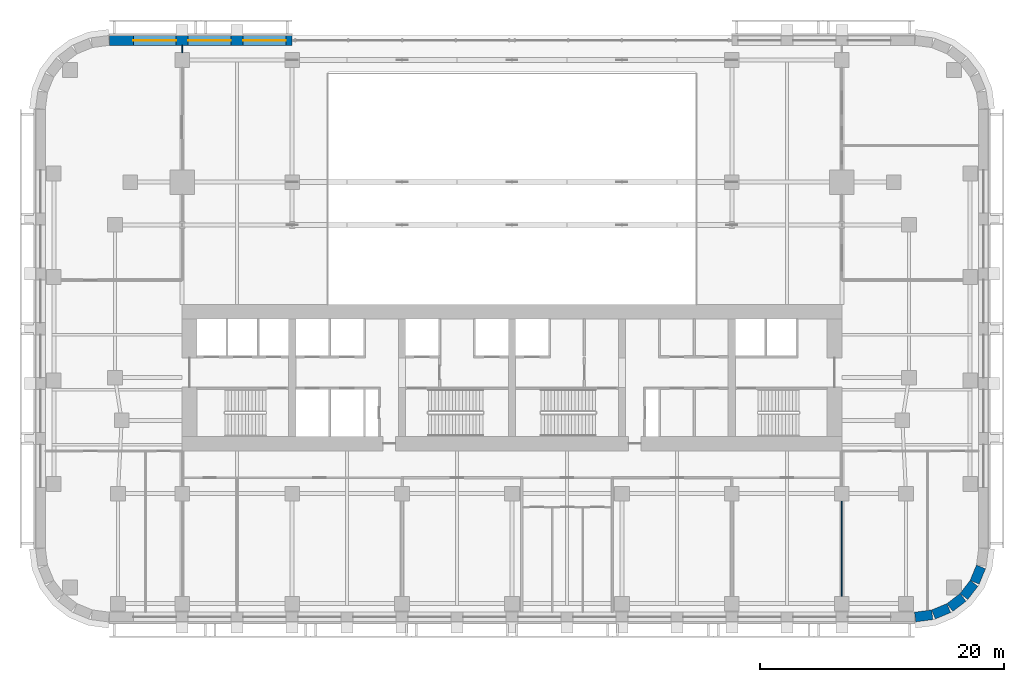
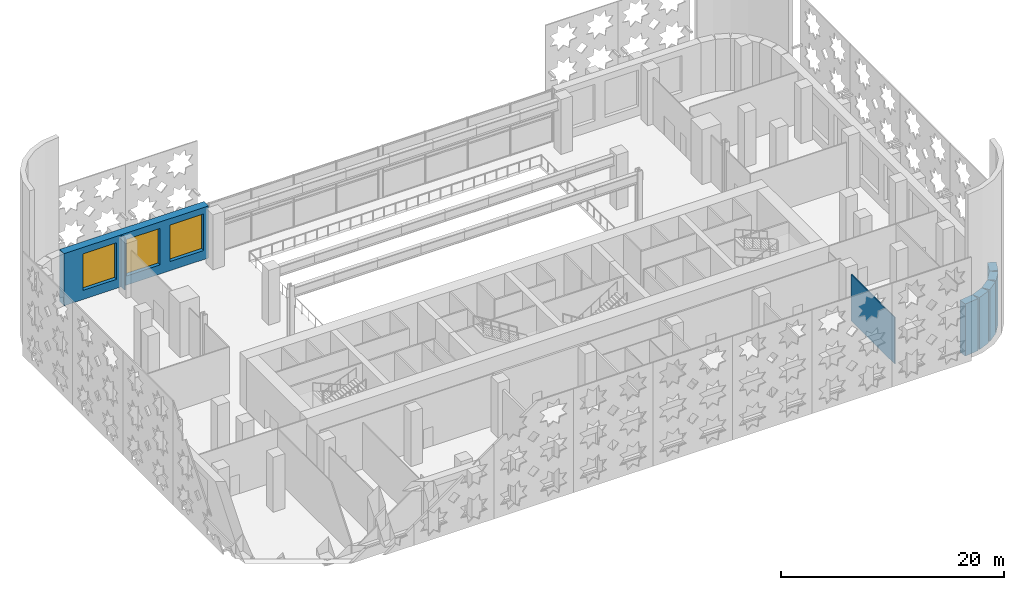
# One storey, part 7 of 17: 8 walls, 3 windows, 3 openings.
"""IFC4 building model written with IfcOpenShell, lengths in metres."""

from ifc_helpers import new_model, si_unit, direction, frame, frame_2d, origin, place, context, subcontext, project, spatial, rectangle, extrude, material, layer, layer_set, type_object, element, fill, save


model = new_model("IFC4")

# Units and contexts
model_context = context("Model", 3, precision=1e-05, world=origin(), true_north=direction((0.0, 1.0)))
body_context = subcontext(model_context, "Body", "Model", "MODEL_VIEW")
ifc_project = project(units=[si_unit("LENGTHUNIT", "METRE"), si_unit("AREAUNIT", "SQUARE_METRE"), si_unit("VOLUMEUNIT", "CUBIC_METRE"), si_unit("PLANEANGLEUNIT", "RADIAN"), si_unit("MASSUNIT", "GRAM", prefix="KILO")], contexts=[model_context])

# Site, building, storey
site_placement = place(None, origin())
site = spatial("IfcSite", under=ifc_project, at=site_placement, CompositionType="ELEMENT")
building_placement = place(site_placement, origin())
building = spatial("IfcBuilding", under=site, at=building_placement, Name="Zellij Exchange Tower", CompositionType="ELEMENT")
storey_placement = place(building_placement, frame((0.0, 0.0, 21.0)))
storey = spatial("IfcBuildingStorey", under=building, at=storey_placement, Name="L03", CompositionType="ELEMENT", Elevation=21.0)

# Walls
ifc_material_1 = material(Name="Precast concrete C40/50", Category="concrete")
ifc_layer_1 = layer(ifc_material_1, 0.800048828125)
ifc_layer_set_1 = layer_set([ifc_layer_1], Name="Precast concrete C40/50")
wall_type_1 = type_object("IfcWallType", Name="ENV-EW1 Precast stone-piered wall 800", PredefinedType="SOLIDWALL", material=ifc_layer_set_1)
wall_1_placement = place(storey_placement, frame((32.999755859375, -27.5966796875, 0.0), z_axis=(0.0, 0.0, 1.0), x_axis=(0.99144603414, 0.130517283865, 0.0)))
element("IfcWall", 1, at=wall_1_placement, inside=storey, type_object=wall_type_1, Name="fac.L03.01", PredefinedType="SOLIDWALL", context=body_context, shape_type="SweptSolid", body=[
    extrude(rectangle(XDim=1.408447265625, YDim=0.800048828125, at=frame_2d((0.7041015625, 0.0))), origin(), (0.0, 0.0, 1.0), 5.699951171875),
])
wall_2_placement = place(storey_placement, frame((34.497314453125, -27.3857421875, 0.0), z_axis=(0.0, 0.0, 1.0), x_axis=(0.923847774587, 0.38276009378, 0.0)))
element("IfcWall", 2, at=wall_2_placement, inside=storey, type_object=wall_type_1, Name="fac.L03.02", PredefinedType="SOLIDWALL", context=body_context, shape_type="SweptSolid", body=[
    extrude(rectangle(XDim=1.35546875, YDim=0.800048828125, at=frame_2d((0.677734375, 0.0))), origin(), (0.0, 0.0, 1.0), 5.699951171875),
])
for number, where, z_axis, x_axis, name in (
    (3, (35.840087890625, -26.814697265625, 0.0), (0.0, 0.0, 1.0), (0.793272915452, 0.608866226366, 0.0), "fac.L03.03"),
    (4, (36.9892578125, -25.91552734375, 0.0), (0.0, 0.0, 1.0), (0.608866226366, 0.793272915452, 0.0), "fac.L03.04"),
):
    element("IfcWall", number, at=place(storey_placement, frame(where, z_axis=z_axis, x_axis=x_axis)), inside=storey, type_object=wall_type_1, Name=name, PredefinedType="SOLIDWALL", context=body_context, shape_type="SweptSolid", body=[
        extrude(rectangle(XDim=1.355712890625, YDim=0.800048828125, at=frame_2d((0.677734375, 0.0))), origin(), (0.0, 0.0, 1.0), 5.699951171875),
    ])
wall_3_placement = place(storey_placement, frame((37.866943359375, -24.74951171875, 0.0), z_axis=(0.0, 0.0, 1.0), x_axis=(0.38276009378, 0.923847774587, 0.0)))
element("IfcWall", 5, at=wall_3_placement, inside=storey, type_object=wall_type_1, Name="fac.L03.05", PredefinedType="SOLIDWALL", context=body_context, shape_type="SweptSolid", body=[
    extrude(rectangle(XDim=1.35546875, YDim=0.800048828125, at=frame_2d((0.677734375, 0.0))), origin(), (0.0, 0.0, 1.0), 5.699951171875),
])

# Wall, openings, windows
wall_4_placement = place(storey_placement, frame((-18.0, 19.60009765625, 0.0), z_axis=(0.0, 0.0, 1.0), x_axis=(-1.0, 0.0, 0.0)))
wall_4 = element("IfcWall", 6, at=wall_4_placement, inside=storey, type_object=wall_type_1, Name="fac.L03.14d", PredefinedType="SOLIDWALL", context=body_context, shape_type="SweptSolid", body=[
    extrude(rectangle(XDim=14.947509765625, YDim=0.800048828125, at=frame_2d((7.4736328125, 0.0))), origin(), (0.0, 0.0, 1.0), 5.699951171875),
])
opening_1_placement = place(wall_4_placement, frame((0.5, 0.0, 1.0)))
opening_1 = element("IfcOpeningElement", 7, at=opening_1_placement, cuts=wall_4, Name="Opening FP.21", PredefinedType="OPENING", context=body_context, shape_type="SweptSolid", body=[
    extrude(rectangle(XDim=3.5, YDim=4.0, at=frame_2d((1.75, 2.0))), frame((0.0, 0.412109375, 0.0), z_axis=(0.0, -1.0, 0.0), x_axis=(1.0, 0.0, 0.0)), (0.0, 0.0, 1.0), 0.823974609375),
])
opening_2_placement = place(wall_4_placement, frame((5.0, 0.0, 1.0)))
opening_2 = element("IfcOpeningElement", 8, at=opening_2_placement, cuts=wall_4, Name="Opening FP.23", PredefinedType="OPENING", context=body_context, shape_type="SweptSolid", body=[
    extrude(rectangle(XDim=3.5, YDim=4.0, at=frame_2d((1.75, 2.0))), frame((0.0, 0.412109375, 0.0), z_axis=(0.0, -1.0, 0.0), x_axis=(1.0, 0.0, 0.0)), (0.0, 0.0, 1.0), 0.823974609375),
])
opening_3_placement = place(wall_4_placement, frame((9.5, 0.0, 1.0)))
opening_3 = element("IfcOpeningElement", 9, at=opening_3_placement, cuts=wall_4, Name="Opening FP.25", PredefinedType="OPENING", context=body_context, shape_type="SweptSolid", body=[
    extrude(rectangle(XDim=3.5, YDim=4.0, at=frame_2d((1.75, 2.0))), frame((0.0, 0.412109375, 0.0), z_axis=(0.0, -1.0, 0.0), x_axis=(1.0, 0.0, 0.0)), (0.0, 0.0, 1.0), 0.823974609375),
])
ifc_material_2 = material(Name="Aluminium frame with insulating glass", Category="aluminium")
window_type = type_object("IfcWindowType", Name="ENV-W2 Window 3500x4000", PartitioningType="SINGLE_PANEL", PredefinedType="WINDOW", material=ifc_material_2)
window_1_placement = place(opening_1_placement, origin())
window_1 = element("IfcWindow", 10, at=window_1_placement, inside=storey, type_object=window_type, Name="Window FP.21", OverallHeight=4.0, OverallWidth=3.5, PartitioningType="SINGLE_PANEL", PredefinedType="WINDOW", context=body_context, shape_type="SweptSolid", body=[
    extrude(rectangle(XDim=3.5, YDim=4.0, at=frame_2d((1.75, 2.0))), frame((0.0, 0.030029296875, 0.0), z_axis=(0.0, -1.0, 0.0), x_axis=(1.0, 0.0, 0.0)), (0.0, 0.0, 1.0), 0.06005859375),
])
fill(opening_1, window_1)
window_2_placement = place(opening_2_placement, origin())
window_2 = element("IfcWindow", 11, at=window_2_placement, inside=storey, type_object=window_type, Name="Window FP.23", OverallHeight=4.0, OverallWidth=3.5, PartitioningType="SINGLE_PANEL", PredefinedType="WINDOW", context=body_context, shape_type="SweptSolid", body=[
    extrude(rectangle(XDim=3.5, YDim=4.0, at=frame_2d((1.75, 2.0))), frame((0.0, 0.030029296875, 0.0), z_axis=(0.0, -1.0, 0.0), x_axis=(1.0, 0.0, 0.0)), (0.0, 0.0, 1.0), 0.06005859375),
])
fill(opening_2, window_2)
window_3_placement = place(opening_3_placement, origin())
window_3 = element("IfcWindow", 12, at=window_3_placement, inside=storey, type_object=window_type, Name="Window FP.25", OverallHeight=4.0, OverallWidth=3.5, PartitioningType="SINGLE_PANEL", PredefinedType="WINDOW", context=body_context, shape_type="SweptSolid", body=[
    extrude(rectangle(XDim=3.5, YDim=4.0, at=frame_2d((1.75, 2.0))), frame((0.0, 0.030029296875, 0.0), z_axis=(0.0, -1.0, 0.0), x_axis=(1.0, 0.0, 0.0)), (0.0, 0.0, 1.0), 0.06005859375),
])
fill(opening_3, window_3)

# Walls
ifc_material_3 = material(Name="Gypsum board partition on steel studs", Category="steel")
ifc_layer_2 = layer(ifc_material_3, 0.10009765625)
ifc_layer_set_2 = layer_set([ifc_layer_2], Name="Gypsum board partition on steel studs")
wall_type_2 = type_object("IfcWallType", Name="FIT-PARTITION-100", PredefinedType="PARTITIONING", material=ifc_layer_set_2)
wall_5_placement = place(storey_placement, frame((27.0, -25.89990234375, 0.0), z_axis=(0.0, 0.0, 1.0), x_axis=(0.0, 1.0, 0.0)))
element("IfcWall", 13, at=wall_5_placement, inside=storey, type_object=wall_type_2, Name="FIT-PARTITION-100 014", PredefinedType="PARTITIONING", context=body_context, shape_type="SweptSolid", body=[
    extrude(rectangle(XDim=7.7998046875, YDim=0.10009765625, at=frame_2d((3.89990234375, 0.0))), origin(), (0.0, 0.0, 1.0), 5.087890625),
])
wall_6_placement = place(storey_placement, frame((-27.0, 18.60009765625, 0.0), z_axis=(0.0, 0.0, 1.0), x_axis=(0.0, 1.0, 0.0)))
element("IfcWall", 14, at=wall_6_placement, inside=storey, type_object=wall_type_2, Name="FIT-PARTITION-100 029", PredefinedType="PARTITIONING", context=body_context, shape_type="SweptSolid", body=[
    extrude(rectangle(XDim=0.599853515625, YDim=0.10009765625, at=frame_2d((0.2998046875, 0.0))), origin(), (0.0, 0.0, 1.0), 5.699951171875),
])

save(model, "model.ifc")
